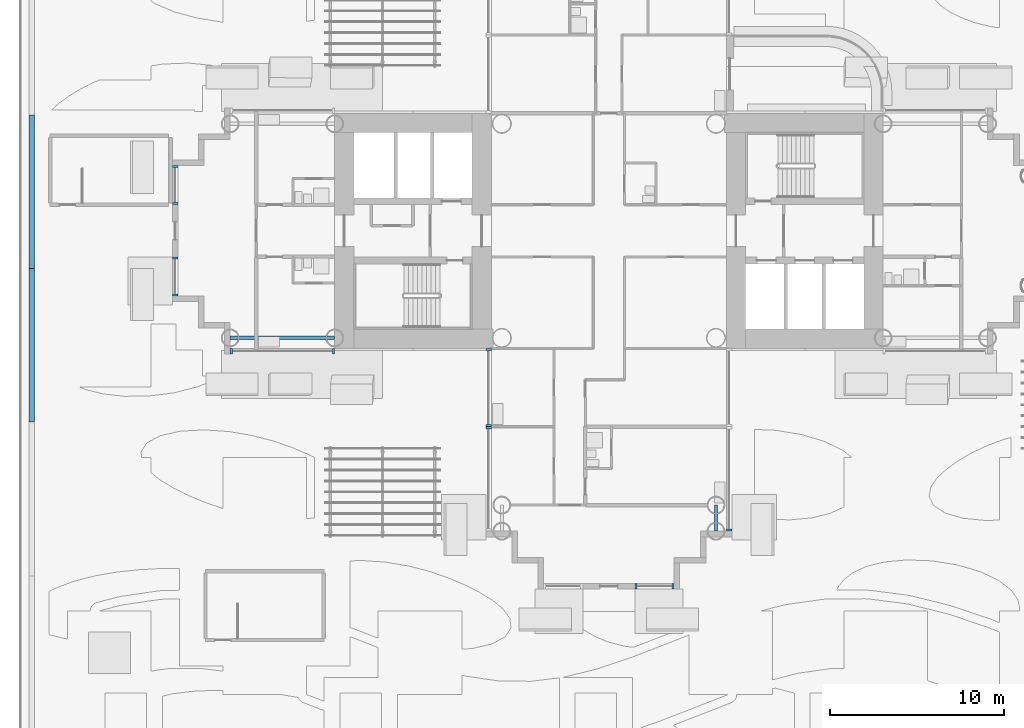
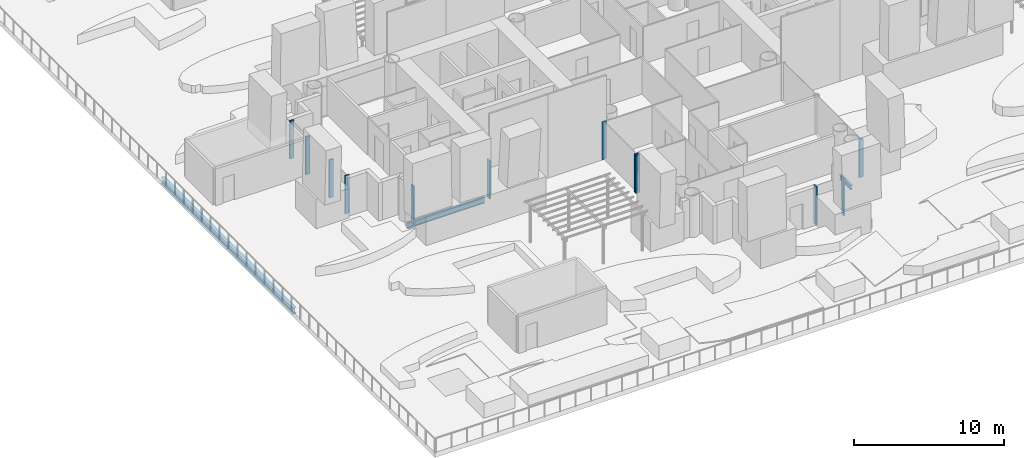
# One storey, part 5 of 40: 12 members, 4 beams, 7 elements without a shape of their own.
"""IFC4 building model written with IfcOpenShell, lengths in metres."""

import ifcopenshell
import ifcopenshell.guid

model = None  # the IFC model being written
_history = None  # IfcOwnerHistory: only IFC2X3 demands one
_inside = {}  # id of a spatial element -> (the spatial element, [elements in it])
_under = {}  # id of a project, library or spatial element -> (it, [spatial elements below it])
_declared = {}  # id of a project -> (the project, [libraries it declares])
_typed = {}  # id of a type object -> (the type object, [elements of that type])
_made_of = {}  # id of a material, layer set ... -> (it, [elements and type objects made of it])


def new_model(schema):
    """Start an empty IFC model of exactly this schema.

    Asked for "IFC4X3", IfcOpenShell would pick the latest addendum, in which some entities
    have other attributes; the version numbers below select the first issue.
    IFC2X3 requires an IfcOwnerHistory on every rooted entity: one is made here for all.
    """
    global model, _history
    if schema == "IFC4X3":
        model = ifcopenshell.file(schema_version=(4, 3, 0, 0))
    else:
        model = ifcopenshell.file(schema=schema)
    _inside.clear()
    _under.clear()
    _declared.clear()
    _typed.clear()
    _made_of.clear()
    _history = None
    if model.schema == "IFC2X3":
        org = make("IfcOrganization", Name="unknown")
        user = make(
            "IfcPersonAndOrganization",
            ThePerson=make("IfcPerson", FamilyName="unknown"),
            TheOrganization=org,
        )
        app = make(
            "IfcApplication",
            ApplicationDeveloper=org,
            Version="unknown",
            ApplicationFullName="unknown",
            ApplicationIdentifier="unknown",
        )
        _history = make(
            "IfcOwnerHistory",
            OwningUser=user,
            OwningApplication=app,
            ChangeAction="ADDED",
            CreationDate=0,
        )
    return model


def make(cls, **values):
    """One entity of the class cls with the attributes given. An attribute that is None is left unset."""
    return model.create_entity(
        cls, **{name: value for name, value in values.items() if value is not None}
    )


def rooted(cls, **values):
    """An entity with a GlobalId (a new one), such as an element, a storey or a relation."""
    return make(cls, GlobalId=ifcopenshell.guid.new(), OwnerHistory=_history, **values)


def si_unit(unit_type, name, prefix=None):
    """IfcSIUnit, for example si_unit("LENGTHUNIT", "METRE", prefix="MILLI")."""
    return make("IfcSIUnit", UnitType=unit_type, Prefix=prefix, Name=name)


def assignment(units):
    """IfcUnitAssignment: the units of a project."""
    return None if units is None else make("IfcUnitAssignment", Units=units)


def point(xyz):
    """IfcCartesianPoint."""
    return None if xyz is None else make("IfcCartesianPoint", Coordinates=xyz)


def direction(xyz):
    """IfcDirection."""
    return None if xyz is None else make("IfcDirection", DirectionRatios=xyz)


def frame(location, z_axis=None, x_axis=None):
    """IfcAxis2Placement3D, a coordinate frame: its origin and axes. An axis left out is left unset."""
    return make(
        "IfcAxis2Placement3D",
        Location=point(location),
        Axis=direction(z_axis),
        RefDirection=direction(x_axis),
    )


def frame_2d(location, x_axis=None):
    """IfcAxis2Placement2D, a coordinate frame in the plane: its origin and x axis."""
    return make(
        "IfcAxis2Placement2D", Location=point(location), RefDirection=direction(x_axis)
    )


def origin():
    """The frame at (0, 0, 0) with its axes left unset."""
    return frame((0.0, 0.0, 0.0))


def origin_2d():
    """The frame at (0, 0) in the plane with its x axis left unset."""
    return frame_2d((0.0, 0.0))


def place(relative_to, where):
    """IfcLocalPlacement: puts the frame where relative to a parent placement (None: the world)."""
    return make(
        "IfcLocalPlacement", PlacementRelTo=relative_to, RelativePlacement=where
    )


def context(
    kind, dimensions, precision=None, world=None, true_north=None, identifier=None
):
    """IfcGeometricRepresentationContext, for example the 3D "Model" context."""
    return make(
        "IfcGeometricRepresentationContext",
        ContextIdentifier=identifier,
        ContextType=kind,
        CoordinateSpaceDimension=dimensions,
        Precision=precision,
        WorldCoordinateSystem=world,
        TrueNorth=true_north,
    )


def subcontext(parent, identifier, kind, view, scale=None):
    """IfcGeometricRepresentationSubContext, for example "Body" below "Model"."""
    return make(
        "IfcGeometricRepresentationSubContext",
        ContextIdentifier=identifier,
        ContextType=kind,
        ParentContext=parent,
        TargetScale=scale,
        TargetView=view,
    )


def project(units=None, contexts=None):
    """IfcProject with its units and contexts."""
    return rooted(
        "IfcProject",
        Name="project",
        RepresentationContexts=contexts,
        UnitsInContext=assignment(units),
    )


def spatial(cls, under=None, at=None, **own):
    """A site, building, storey or space (cls), placed at a placement, below another one or the project."""
    s = rooted(cls, ObjectPlacement=at, **own)
    if under is not None:
        _under.setdefault(under.id(), (under, []))[1].append(s)
    return s


def profile(cls, at=None, kind="AREA", **sizes):
    """A parametric profile (cls). Its sizes go by their IFC names, for example OverallWidth=200.0."""
    return make(cls, ProfileType=kind, Position=at, **sizes)


def rectangle(**sizes):
    """IfcRectangleProfileDef."""
    return profile("IfcRectangleProfileDef", **sizes)


def i_section(**sizes):
    """IfcIShapeProfileDef."""
    return profile("IfcIShapeProfileDef", **sizes)


def extrude(swept, where, along, depth):
    """IfcExtrudedAreaSolid: the profile swept, set in the frame where, extruded along a direction by depth."""
    return make(
        "IfcExtrudedAreaSolid",
        SweptArea=swept,
        Position=where,
        ExtrudedDirection=direction(along),
        Depth=depth,
    )


def shape(context_of_items, identifier, shape_type, items):
    """IfcShapeRepresentation: the items that make up one representation, for example the "Body"."""
    return make(
        "IfcShapeRepresentation",
        ContextOfItems=context_of_items,
        RepresentationIdentifier=identifier,
        RepresentationType=shape_type,
        Items=items,
    )


def material(Name=None, Category=None):
    """IfcMaterial."""
    return make("IfcMaterial", Name=Name, Category=Category)


def layer(
    of_material, thickness, ventilated=None, Name=None, Category=None, Priority=None
):
    """IfcMaterialLayer: one layer of a wall or slab, of a material (None: an air gap)."""
    return make(
        "IfcMaterialLayer",
        Material=of_material,
        LayerThickness=thickness,
        IsVentilated=ventilated,
        Name=Name,
        Category=Category,
        Priority=Priority,
    )


def layer_set(layers, Name=None):
    """IfcMaterialLayerSet."""
    return make("IfcMaterialLayerSet", MaterialLayers=layers, LayerSetName=Name)


def material_profile(
    of_material, cross_section, Name=None, Category=None, Priority=None
):
    """IfcMaterialProfile: a cross section and its material."""
    return make(
        "IfcMaterialProfile",
        Name=Name,
        Material=of_material,
        Profile=cross_section,
        Priority=Priority,
        Category=Category,
    )


def profile_set(profiles, Name=None, composite=None):
    """IfcMaterialProfileSet."""
    return make(
        "IfcMaterialProfileSet",
        Name=Name,
        MaterialProfiles=profiles,
        CompositeProfile=composite,
    )


def made_of(thing, what):
    """Note that an element or type object is made of a material, layer set ...; save() writes the relation."""
    if what is not None:
        _made_of.setdefault(what.id(), (what, []))[1].append(thing)
    return thing


def type_object(cls, material=None, **own):
    """A type object (cls), such as IfcWallType, which elements share."""
    return made_of(rooted(cls, **own), material)


def element(
    cls,
    number,
    at=None,
    inside=None,
    cuts=None,
    type_object=None,
    material=None,
    context=None,
    identifier="Body",
    shape_type=None,
    held_by="IfcProductDefinitionShape",
    body=None,
    shapes=None,
    **own,
):
    """One element of the class cls, such as IfcWall. Its Tag is "e" and its number.

    at: its placement. inside: the storey or other place that contains it. cuts: it is an
    opening in that element (IfcRelVoidsElement). A single representation is given by context,
    identifier, shape_type and body (its items); several are given by shapes. held_by: the class
    of the entity that holds the representations. save() writes the other relations.
    """
    e = rooted(cls, Tag="e%d" % number, ObjectPlacement=at, **own)
    if body is not None:
        shapes = [shape(context, identifier, shape_type, body)]
    if shapes is not None:
        e.Representation = make(held_by, Representations=shapes)
    if inside is not None:
        _inside.setdefault(inside.id(), (inside, []))[1].append(e)
    if cuts is not None:
        rooted(
            "IfcRelVoidsElement", RelatingBuildingElement=cuts, RelatedOpeningElement=e
        )
    if type_object is not None:
        _typed.setdefault(type_object.id(), (type_object, []))[1].append(e)
    return made_of(e, material)


def aggregate(whole, parts):
    """IfcRelAggregates: a whole, such as a stair, and the parts it consists of."""
    return rooted("IfcRelAggregates", RelatingObject=whole, RelatedObjects=parts)


def save(model, path):
    """Write the relations noted so far, then the file.

    IfcRelAggregates (storeys below a building ...), IfcRelContainedInSpatialStructure (elements
    in a storey), IfcRelDefinesByType, IfcRelAssociatesMaterial and IfcRelDeclares: one each for
    every whole, place, type object, material and project.
    """
    for whole, parts in _under.values():
        aggregate(whole, parts)
    for where, things in _inside.values():
        rooted(
            "IfcRelContainedInSpatialStructure",
            RelatedElements=things,
            RelatingStructure=where,
        )
    for kind, things in _typed.values():
        rooted("IfcRelDefinesByType", RelatedObjects=things, RelatingType=kind)
    for what, things in _made_of.values():
        rooted("IfcRelAssociatesMaterial", RelatedObjects=things, RelatingMaterial=what)
    for by, libraries in _declared.values():
        rooted("IfcRelDeclares", RelatingContext=by, RelatedDefinitions=libraries)
    model.write(path)


model = new_model("IFC4")

# Units and contexts
model_context = context("Model", 3, precision=1e-05, world=origin(), true_north=direction((0.0, 1.0)))
body_context = subcontext(model_context, "Body", "Model", "MODEL_VIEW")
ifc_project = project(units=[si_unit("LENGTHUNIT", "METRE"), si_unit("AREAUNIT", "SQUARE_METRE"), si_unit("VOLUMEUNIT", "CUBIC_METRE"), si_unit("PLANEANGLEUNIT", "RADIAN"), si_unit("MASSUNIT", "GRAM", prefix="KILO")], contexts=[model_context])

# Site, building, storey
site_placement = place(None, origin())
site = spatial("IfcSite", under=ifc_project, at=site_placement, CompositionType="ELEMENT")
building_placement = place(site_placement, origin())
building = spatial("IfcBuilding", under=site, at=building_placement, Name="Ipe Terrace Towers", CompositionType="ELEMENT")
storey_placement = place(building_placement, frame((0.0, 0.0, 24.5)))
storey = spatial("IfcBuildingStorey", under=building, at=storey_placement, Name="L05", CompositionType="ELEMENT", Elevation=24.5)

# Beams
ifc_material_1 = material(Name="Steel S355", Category="steel")
ifc_material_profile_1 = material_profile(ifc_material_1, i_section(OverallWidth=0.175048828125, OverallDepth=0.35009765625, WebThickness=0.007080078125, FlangeThickness=0.010986328125, at=origin_2d()), Name="H-350x175x7x11")
ifc_profile_set_1 = profile_set([ifc_material_profile_1], Name="Steel S355")
beam_type_1 = type_object("IfcBeamType", Name="H04 EDGE BEAM H-350x175x7x11", PredefinedType="BEAM", material=ifc_profile_set_1)
beam_1_placement = place(storey_placement, frame((-29.85009765625, -15.75, -0.574951171875), z_axis=(0.0, -1.0, 0.0), x_axis=(1.0, 0.0, 0.0)))
element("IfcBeam", 1, at=beam_1_placement, inside=storey, type_object=beam_type_1, Name="Edge beam T1-EB-D04-D06", PredefinedType="BEAM", context=body_context, shape_type="SweptSolid", body=[
    extrude(i_section(OverallWidth=0.175048828125, OverallDepth=0.35009765625, WebThickness=0.007080078125, FlangeThickness=0.010986328125, at=origin_2d()), origin(), (0.0, 0.0, 1.0), 1.5),
])
ifc_material_2 = material(Name="Steel S355", Category="steel")
ifc_material_profile_2 = material_profile(ifc_material_2, i_section(OverallWidth=0.199951171875, OverallDepth=0.449951171875, WebThickness=0.009033203125, FlangeThickness=0.013916015625, at=origin_2d()), Name="H-450x200x9x14")
ifc_profile_set_2 = profile_set([ifc_material_profile_2], Name="Steel S355")
beam_type_2 = type_object("IfcBeamType", Name="H08 EDGE BEAM H-450x200x9x14", PredefinedType="BEAM", material=ifc_profile_set_2)
beam_2_placement = place(storey_placement, frame((-51.75, -6.14990234375, -0.625), z_axis=(-1.0, 0.0, 0.0), x_axis=(0.0, -1.0, 0.0)))
element("IfcBeam", 2, at=beam_2_placement, inside=storey, type_object=beam_type_2, Name="Edge beam T1-EB-C01-C03", PredefinedType="BEAM", context=body_context, shape_type="SweptSolid", body=[
    extrude(i_section(OverallWidth=0.199951171875, OverallDepth=0.449951171875, WebThickness=0.009033203125, FlangeThickness=0.013916015625, at=origin_2d()), origin(), (0.0, 0.0, 1.0), 6.0),
])
ifc_material_3 = material(Name="Steel S355", Category="steel")
ifc_material_profile_3 = material_profile(ifc_material_3, i_section(OverallWidth=0.300048828125, OverallDepth=0.488037109375, WebThickness=0.010986328125, FlangeThickness=0.01806640625, at=origin_2d()), Name="H-488x300x11x18")
ifc_profile_set_3 = profile_set([ifc_material_profile_3], Name="Steel S355")
beam_type_3 = type_object("IfcBeamType", Name="H09 EDGE BEAM H-488x300x11x18", PredefinedType="BEAM", material=ifc_profile_set_3)
beam_3_placement = place(storey_placement, frame((-69.14990234375, -10.992919921875, -0.6689453125), z_axis=(0.0, 1.0, 0.0), x_axis=(-1.0, 0.0, 0.0)))
element("IfcBeam", 3, at=beam_3_placement, inside=storey, type_object=beam_type_3, Name="Edge beam PD-EB-F01-G01", PredefinedType="BEAM", context=body_context, shape_type="SweptSolid", body=[
    extrude(i_section(OverallWidth=0.300048828125, OverallDepth=0.488037109375, WebThickness=0.010986328125, FlangeThickness=0.01806640625, at=origin_2d()), origin(), (0.0, 0.0, 1.0), 8.828857421875),
])
beam_4_placement = place(storey_placement, frame((-69.14990234375, -2.1640625, -0.6689453125), z_axis=(0.0, 1.0, 0.0), x_axis=(-1.0, 0.0, 0.0)))
element("IfcBeam", 4, at=beam_4_placement, inside=storey, type_object=beam_type_3, Name="Edge beam PD-EB-G01-H01", PredefinedType="BEAM", context=body_context, shape_type="SweptSolid", body=[
    extrude(i_section(OverallWidth=0.300048828125, OverallDepth=0.488037109375, WebThickness=0.010986328125, FlangeThickness=0.01806640625, at=origin_2d()), origin(), (0.0, 0.0, 1.0), 8.828125),
])

# Curtain wall, members
ifc_material_4 = material(Name="Aluminium alloy 6063-T6", Category="aluminium")
ifc_layer = layer(ifc_material_4, 0.320068359375)
ifc_layer_set = layer_set([ifc_layer], Name="TOWER UNITISED CURTAIN WALL")
curtain_wall_type = type_object("IfcCurtainWallType", Name="TOWER UNITISED CURTAIN WALL", PredefinedType="NOTDEFINED", material=ifc_layer_set)
curtain_wall_1_placement = place(storey_placement, origin())
curtain_wall_1 = element("IfcCurtainWall", 5, at=curtain_wall_1_placement, inside=storey, type_object=curtain_wall_type, Name="T1-CW-L05-04a curtain wall", PredefinedType="NOTDEFINED")
ifc_material_5 = material(Name="Aluminium alloy 6063-T6", Category="aluminium")
ifc_material_profile_4 = material_profile(ifc_material_5, rectangle(XDim=0.320068359375, YDim=0.1201171875, at=origin_2d()), Name="TOWER UNITISED CORNER MULLION 320 x 120")
ifc_profile_set_4 = profile_set([ifc_material_profile_4], Name="Aluminium alloy 6063-T6")
member_type = type_object("IfcMemberType", Name="TOWER UNITISED CORNER MULLION 320 x 120", PredefinedType="MULLION", material=ifc_profile_set_4)
member_1_placement = place(storey_placement, frame((-57.68994140625, -6.909912109375, 0.0), z_axis=(0.0, 0.0, 1.0), x_axis=(0.0, -1.0, 0.0)))
member_1 = element("IfcMember", 6, at=member_1_placement, type_object=member_type, Name="T1-CW-L05-04a mullion 1", PredefinedType="MULLION", context=body_context, shape_type="SweptSolid", body=[
    extrude(rectangle(XDim=0.320068359375, YDim=0.1201171875, at=origin_2d()), origin(), (0.0, 0.0, 1.0), 3.10009765625),
])
member_2_placement = place(storey_placement, frame((-51.81103515625, -6.909912109375, 0.0), z_axis=(0.0, 0.0, 1.0), x_axis=(0.0, -1.0, 0.0)))
member_2 = element("IfcMember", 7, at=member_2_placement, type_object=member_type, Name="T1-CW-L05-04a mullion 2", PredefinedType="MULLION", context=body_context, shape_type="SweptSolid", body=[
    extrude(rectangle(XDim=0.320068359375, YDim=0.1201171875, at=origin_2d()), origin(), (0.0, 0.0, 1.0), 3.10009765625),
])
aggregate(curtain_wall_1, [member_1, member_2])

curtain_wall_2_placement = place(storey_placement, origin())
curtain_wall_2 = element("IfcCurtainWall", 8, at=curtain_wall_2_placement, inside=storey, type_object=curtain_wall_type, Name="T1-CW-L05-06a curtain wall", PredefinedType="NOTDEFINED")
member_3_placement = place(storey_placement, frame((-42.909912109375, -6.81005859375, 0.0), z_axis=(0.0, 0.0, 1.0), x_axis=(-1.0, 0.0, 0.0)))
member_3 = element("IfcMember", 9, at=member_3_placement, type_object=member_type, Name="T1-CW-L05-06a mullion 1", PredefinedType="MULLION", context=body_context, shape_type="SweptSolid", body=[
    extrude(rectangle(XDim=0.320068359375, YDim=0.1201171875, at=origin_2d()), origin(), (0.0, 0.0, 1.0), 3.10009765625),
])
member_4_placement = place(storey_placement, frame((-42.909912109375, -11.18994140625, 0.0), z_axis=(0.0, 0.0, 1.0), x_axis=(-1.0, 0.0, 0.0)))
member_4 = element("IfcMember", 10, at=member_4_placement, type_object=member_type, Name="T1-CW-L05-06a mullion 2", PredefinedType="MULLION", context=body_context, shape_type="SweptSolid", body=[
    extrude(rectangle(XDim=0.320068359375, YDim=0.1201171875, at=origin_2d()), origin(), (0.0, 0.0, 1.0), 3.10009765625),
])
aggregate(curtain_wall_2, [member_3, member_4])

# Curtain wall, member
curtain_wall_3_placement = place(storey_placement, origin())
curtain_wall_3 = element("IfcCurtainWall", 11, at=curtain_wall_3_placement, inside=storey, type_object=curtain_wall_type, Name="T1-CW-L05-07a curtain wall", PredefinedType="NOTDEFINED")
member_5_placement = place(storey_placement, frame((-42.909912109375, -11.31005859375, 0.0), z_axis=(0.0, 0.0, 1.0), x_axis=(-1.0, 0.0, 0.0)))
member_5 = element("IfcMember", 12, at=member_5_placement, type_object=member_type, Name="T1-CW-L05-07a mullion 1", PredefinedType="MULLION", context=body_context, shape_type="SweptSolid", body=[
    extrude(rectangle(XDim=0.320068359375, YDim=0.1201171875, at=origin_2d()), origin(), (0.0, 0.0, 1.0), 3.10009765625),
])
aggregate(curtain_wall_3, [member_5])

# Curtain wall, members
curtain_wall_4_placement = place(storey_placement, origin())
curtain_wall_4 = element("IfcCurtainWall", 13, at=curtain_wall_4_placement, inside=storey, type_object=curtain_wall_type, Name="T1-CW-L05-12c curtain wall", PredefinedType="NOTDEFINED")
member_6_placement = place(storey_placement, frame((-34.43994140625, -20.409912109375, 0.0), z_axis=(0.0, 0.0, 1.0), x_axis=(0.0, -1.0, 0.0)))
member_6 = element("IfcMember", 14, at=member_6_placement, type_object=member_type, Name="T1-CW-L05-12c mullion 1", PredefinedType="MULLION", context=body_context, shape_type="SweptSolid", body=[
    extrude(rectangle(XDim=0.320068359375, YDim=0.1201171875, at=origin_2d()), origin(), (0.0, 0.0, 1.0), 3.10009765625),
])
member_7_placement = place(storey_placement, frame((-32.31005859375, -20.409912109375, 0.0), z_axis=(0.0, 0.0, 1.0), x_axis=(0.0, -1.0, 0.0)))
member_7 = element("IfcMember", 15, at=member_7_placement, type_object=member_type, Name="T1-CW-L05-12c mullion 2", PredefinedType="MULLION", context=body_context, shape_type="SweptSolid", body=[
    extrude(rectangle(XDim=0.320068359375, YDim=0.1201171875, at=origin_2d()), origin(), (0.0, 0.0, 1.0), 3.10009765625),
])
aggregate(curtain_wall_4, [member_6, member_7])

# Curtain wall, member
curtain_wall_5_placement = place(storey_placement, origin())
curtain_wall_5 = element("IfcCurtainWall", 16, at=curtain_wall_5_placement, inside=storey, type_object=curtain_wall_type, Name="T1-CW-L05-17a curtain wall", PredefinedType="NOTDEFINED")
member_8_placement = place(storey_placement, frame((-29.090087890625, -17.18994140625, 0.0), z_axis=(0.0, 0.0, 1.0), x_axis=(1.0, 0.0, 0.0)))
member_8 = element("IfcMember", 17, at=member_8_placement, type_object=member_type, Name="T1-CW-L05-17a mullion 1", PredefinedType="MULLION", context=body_context, shape_type="SweptSolid", body=[
    extrude(rectangle(XDim=0.320068359375, YDim=0.1201171875, at=origin_2d()), origin(), (0.0, 0.0, 1.0), 3.10009765625),
])
aggregate(curtain_wall_5, [member_8])

# Curtain wall, members
curtain_wall_6_placement = place(storey_placement, origin())
curtain_wall_6 = element("IfcCurtainWall", 18, at=curtain_wall_6_placement, inside=storey, type_object=curtain_wall_type, Name="T1-CW-L05-51a curtain wall", PredefinedType="NOTDEFINED")
member_9_placement = place(storey_placement, frame((-60.909912109375, 3.68994140625, 0.0), z_axis=(0.0, 0.0, 1.0), x_axis=(-1.0, 0.0, 0.0)))
member_9 = element("IfcMember", 19, at=member_9_placement, type_object=member_type, Name="T1-CW-L05-51a mullion 1", PredefinedType="MULLION", context=body_context, shape_type="SweptSolid", body=[
    extrude(rectangle(XDim=0.320068359375, YDim=0.1201171875, at=origin_2d()), origin(), (0.0, 0.0, 1.0), 3.10009765625),
])
member_10_placement = place(storey_placement, frame((-60.909912109375, 1.56005859375, 0.0), z_axis=(0.0, 0.0, 1.0), x_axis=(-1.0, 0.0, 0.0)))
member_10 = element("IfcMember", 20, at=member_10_placement, type_object=member_type, Name="T1-CW-L05-51a mullion 2", PredefinedType="MULLION", context=body_context, shape_type="SweptSolid", body=[
    extrude(rectangle(XDim=0.320068359375, YDim=0.1201171875, at=origin_2d()), origin(), (0.0, 0.0, 1.0), 3.10009765625),
])
aggregate(curtain_wall_6, [member_9, member_10])

curtain_wall_7_placement = place(storey_placement, origin())
curtain_wall_7 = element("IfcCurtainWall", 21, at=curtain_wall_7_placement, inside=storey, type_object=curtain_wall_type, Name="T1-CW-L05-51c curtain wall", PredefinedType="NOTDEFINED")
member_11_placement = place(storey_placement, frame((-60.909912109375, -1.56005859375, 0.0), z_axis=(0.0, 0.0, 1.0), x_axis=(-1.0, 0.0, 0.0)))
member_11 = element("IfcMember", 22, at=member_11_placement, type_object=member_type, Name="T1-CW-L05-51c mullion 1", PredefinedType="MULLION", context=body_context, shape_type="SweptSolid", body=[
    extrude(rectangle(XDim=0.320068359375, YDim=0.1201171875, at=origin_2d()), origin(), (0.0, 0.0, 1.0), 3.10009765625),
])
member_12_placement = place(storey_placement, frame((-60.909912109375, -3.68994140625, 0.0), z_axis=(0.0, 0.0, 1.0), x_axis=(-1.0, 0.0, 0.0)))
member_12 = element("IfcMember", 23, at=member_12_placement, type_object=member_type, Name="T1-CW-L05-51c mullion 2", PredefinedType="MULLION", context=body_context, shape_type="SweptSolid", body=[
    extrude(rectangle(XDim=0.320068359375, YDim=0.1201171875, at=origin_2d()), origin(), (0.0, 0.0, 1.0), 3.10009765625),
])
aggregate(curtain_wall_7, [member_11, member_12])

save(model, "model.ifc")
